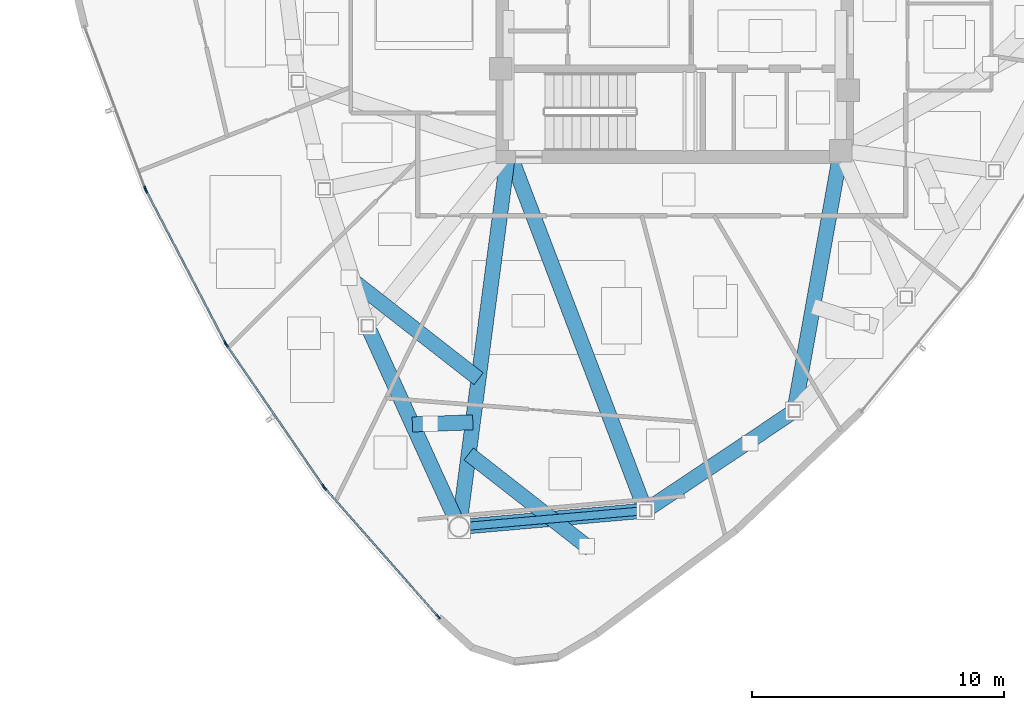
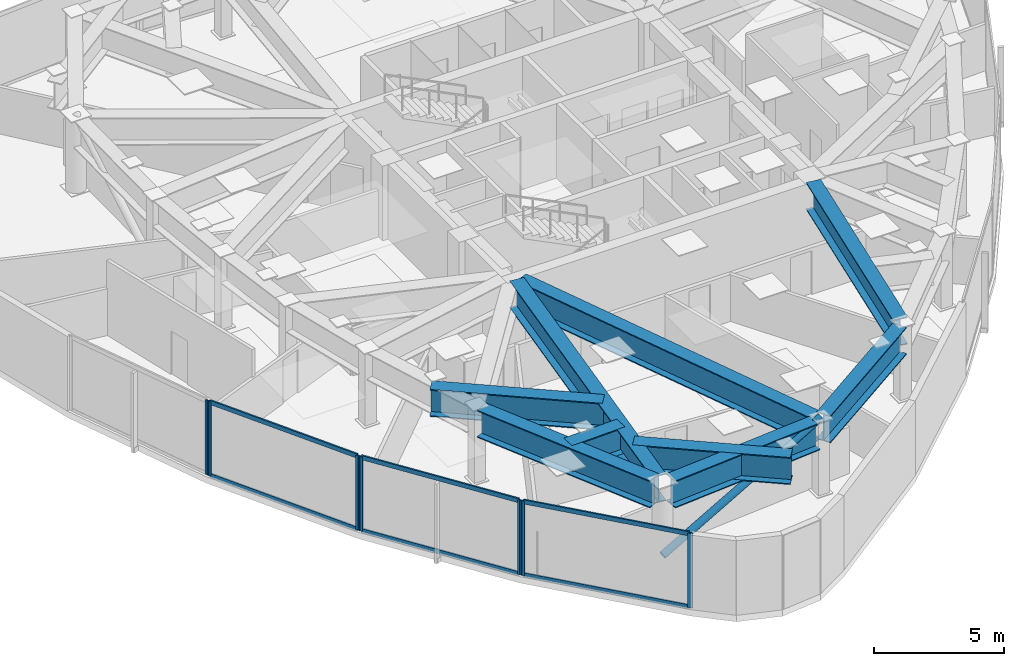
# One storey, part 2 of 13: 14 members, 9 beams, 4 elements without a shape of their own.
"""IFC4 building model written with IfcOpenShell, lengths in metres."""

from ifc_helpers import new_model, si_unit, direction, frame, origin, origin_2d, place, context, subcontext, project, spatial, hollow_rectangle, hollow_circle, i_section, extrude, source, transform, mapped, material, layer, layer_set, material_profile, profile_set, type_object, type_shapes, element, aggregate, save


model = new_model("IFC4")

# Units and contexts
model_context = context("Model", 3, precision=1e-05, world=origin(), true_north=direction((0.0, 1.0)))
body_context = subcontext(model_context, "Body", "Model", "MODEL_VIEW")
ifc_project = project(units=[si_unit("LENGTHUNIT", "METRE"), si_unit("AREAUNIT", "SQUARE_METRE"), si_unit("VOLUMEUNIT", "CUBIC_METRE"), si_unit("PLANEANGLEUNIT", "RADIAN"), si_unit("MASSUNIT", "GRAM", prefix="KILO")], contexts=[model_context])

# Site, building, storey
site_placement = place(None, origin())
site = spatial("IfcSite", under=ifc_project, at=site_placement, CompositionType="ELEMENT")
building_placement = place(site_placement, origin())
building = spatial("IfcBuilding", under=site, at=building_placement, Name="Tavelor Broadcast Tower", CompositionType="ELEMENT")
storey_placement = place(building_placement, frame((0.0, 0.0, 269.550048828125)))
storey = spatial("IfcBuildingStorey", under=building, at=storey_placement, Name="L64", CompositionType="ELEMENT", Elevation=269.550048828125)

# Member
ifc_material_1 = material(Name="Steel S355", Category="steel")
ifc_material_profile_1 = material_profile(ifc_material_1, hollow_circle(Radius=0.161865234375, WallThickness=0.01611328125, at=origin_2d()), Name="CHS 323.9x16")
ifc_profile_set_1 = profile_set([ifc_material_profile_1], Name="Steel S355")
member_type_1 = type_object("IfcMemberType", Name="Perimeter Tube Brace T6 CHS 323.9x16", PredefinedType="BRACE", material=ifc_profile_set_1)
member_1_placement = place(storey_placement, frame((41.440185546875, 23.853759765625, 0.0), z_axis=(0.901227354725, 0.079257843271, 0.426036910814), x_axis=(-0.087606208465, 0.996155184817, 0.0)))
element("IfcMember", 1, at=member_1_placement, inside=storey, type_object=member_type_1, Name="L64 Corner Tube Diagonal Brace 2", PredefinedType="BRACE", context=body_context, shape_type="SweptSolid", body=[
    extrude(hollow_circle(Radius=0.161865234375, WallThickness=0.01611328125, at=origin_2d()), origin(), (0.0, 0.0, 1.0), 8.21533203125),
])

# Beams
ifc_material_2 = material(Name="Steel S460", Category="steel")
ifc_material_profile_2 = material_profile(ifc_material_2, i_section(OverallWidth=0.60009765625, OverallDepth=1.280029296875, WebThickness=0.02587890625, FlangeThickness=0.044921875, at=origin_2d()), Name="PG 1280x600")
ifc_profile_set_2 = profile_set([ifc_material_profile_2], Name="Steel S460")
beam_type = type_object("IfcBeamType", Name="Upper Setback Transfer Girder PG1350", PredefinedType="BEAM", material=ifc_profile_set_2)
beam_1_placement = place(storey_placement, frame((37.896484375, 31.635009765625, 2.85986328125), z_axis=(0.414463300231, -0.910066026595, 0.0), x_axis=(0.910066026595, 0.414463300231, 0.0)))
element("IfcBeam", 2, at=beam_1_placement, inside=storey, type_object=beam_type, Name="L64 Framed-Tube Ring Spandrel 06", PredefinedType="BEAM", context=body_context, shape_type="SweptSolid", body=[
    extrude(i_section(OverallWidth=0.60009765625, OverallDepth=1.280029296875, WebThickness=0.02587890625, FlangeThickness=0.044921875, at=origin_2d()), origin(), (0.0, 0.0, 1.0), 8.16015625),
])
beam_2_placement = place(storey_placement, frame((41.828857421875, 23.887939453125, 2.85986328125), z_axis=(0.996154580768, 0.087613076733, 0.0), x_axis=(-0.087613076733, 0.996154580768, 0.0)))
element("IfcBeam", 3, at=beam_2_placement, inside=storey, type_object=beam_type, Name="L64 Framed-Tube Ring Spandrel 07", PredefinedType="BEAM", context=body_context, shape_type="SweptSolid", body=[
    extrude(i_section(OverallWidth=0.60009765625, OverallDepth=1.280029296875, WebThickness=0.02587890625, FlangeThickness=0.044921875, at=origin_2d()), origin(), (0.0, 0.0, 1.0), 6.802001953125),
])
beam_3_placement = place(storey_placement, frame((49.043212890625, 24.638427734375, 2.85986328125), z_axis=(0.83097843332, 0.556304631795, 0.0), x_axis=(-0.556304631795, 0.83097843332, 0.0)))
element("IfcBeam", 4, at=beam_3_placement, inside=storey, type_object=beam_type, Name="L64 Framed-Tube Ring Spandrel 08", PredefinedType="BEAM", context=body_context, shape_type="SweptSolid", body=[
    extrude(i_section(OverallWidth=0.60009765625, OverallDepth=1.280029296875, WebThickness=0.02587890625, FlangeThickness=0.044921875, at=origin_2d()), origin(), (0.0, 0.0, 1.0), 6.632568359375),
])
beam_4_placement = place(storey_placement, frame((43.34375, 38.37158203125, 2.85986328125), z_axis=(-0.130001183832, -0.991513838634, 0.0), x_axis=(0.991513838634, -0.130001183832, 0.0)))
element("IfcBeam", 5, at=beam_4_placement, inside=storey, type_object=beam_type, Name="L64 Radial Primary Floor Girder 07", PredefinedType="BEAM", context=body_context, shape_type="SweptSolid", body=[
    extrude(i_section(OverallWidth=0.60009765625, OverallDepth=1.280029296875, WebThickness=0.02587890625, FlangeThickness=0.044921875, at=origin_2d()), origin(), (0.0, 0.0, 1.0), 14.251953125),
])
beam_5_placement = place(storey_placement, frame((43.5537109375, 38.396240234375, 2.85986328125), z_axis=(0.355897443136, -0.934525018375, 0.0), x_axis=(0.934525018375, 0.355897443136, 0.0)))
element("IfcBeam", 6, at=beam_5_placement, inside=storey, type_object=beam_type, Name="L64 Radial Primary Floor Girder 08", PredefinedType="BEAM", context=body_context, shape_type="SweptSolid", body=[
    extrude(i_section(OverallWidth=0.60009765625, OverallDepth=1.280029296875, WebThickness=0.02587890625, FlangeThickness=0.044921875, at=origin_2d()), origin(), (0.0, 0.0, 1.0), 14.62451171875),
])
beam_6_placement = place(storey_placement, frame((56.524169921875, 38.374755859375, 2.85986328125), z_axis=(-0.175770007633, -0.984431259366, 0.0), x_axis=(0.984431259366, -0.175770007633, 0.0)))
element("IfcBeam", 7, at=beam_6_placement, inside=storey, type_object=beam_type, Name="L64 Radial Primary Floor Girder 09", PredefinedType="BEAM", context=body_context, shape_type="SweptSolid", body=[
    extrude(i_section(OverallWidth=0.60009765625, OverallDepth=1.280029296875, WebThickness=0.02587890625, FlangeThickness=0.044921875, at=origin_2d()), origin(), (0.0, 0.0, 1.0), 9.829833984375),
])
beam_7_placement = place(storey_placement, frame((42.212158203125, 29.74072265625, 2.85986328125), z_axis=(-0.78802161473, 0.615647573468, 0.0), x_axis=(-0.615647573468, -0.78802161473, 0.0)))
element("IfcBeam", 8, at=beam_7_placement, inside=storey, type_object=beam_type, Name="L64 Cantilever Transfer Girder 05", PredefinedType="BEAM", context=body_context, shape_type="SweptSolid", body=[
    extrude(i_section(OverallWidth=0.60009765625, OverallDepth=1.280029296875, WebThickness=0.02587890625, FlangeThickness=0.044921875, at=origin_2d()), origin(), (0.0, 0.0, 1.0), 6.707763671875),
])
beam_8_placement = place(storey_placement, frame((39.584228515625, 27.9287109375, 2.85986328125), z_axis=(0.999388985289, 0.034952197127, 0.0), x_axis=(-0.034952197127, 0.999388985289, 0.0)))
element("IfcBeam", 9, at=beam_8_placement, inside=storey, type_object=beam_type, Name="L64 Transfer Header Girder 06", PredefinedType="BEAM", context=body_context, shape_type="SweptSolid", body=[
    extrude(i_section(OverallWidth=0.60009765625, OverallDepth=1.280029296875, WebThickness=0.02587890625, FlangeThickness=0.044921875, at=origin_2d()), origin(), (0.0, 0.0, 1.0), 2.40283203125),
])
beam_9_placement = place(storey_placement, frame((41.820556640625, 26.7548828125, 2.85986328125), z_axis=(0.788005073319, -0.615668745693, 0.0), x_axis=(0.615668745693, 0.788005073319, 0.0)))
element("IfcBeam", 10, at=beam_9_placement, inside=storey, type_object=beam_type, Name="L64 Cantilever Transfer Girder 07", PredefinedType="BEAM", context=body_context, shape_type="SweptSolid", body=[
    extrude(i_section(OverallWidth=0.60009765625, OverallDepth=1.280029296875, WebThickness=0.02587890625, FlangeThickness=0.044921875, at=origin_2d()), origin(), (0.0, 0.0, 1.0), 6.136962890625),
])

# Curtain wall, member
ifc_material_3 = material(Name="Architectural Anodized Aluminium", Category="aluminium")
ifc_layer = layer(ifc_material_3, 0.199951171875)
ifc_layer_set = layer_set([ifc_layer], Name="Architectural Anodized Aluminium")
curtain_wall_type = type_object("IfcCurtainWallType", Name="Tower High-Zone Triple-Glazed Curtain Wall CW04", PredefinedType="NOTDEFINED", material=ifc_layer_set)
curtain_wall_1_placement = place(storey_placement, origin())
curtain_wall_1 = element("IfcCurtainWall", 11, at=curtain_wall_1_placement, inside=storey, type_object=curtain_wall_type, Name="L64 Curtain Wall CW04 Run 697", PredefinedType="NOTDEFINED")
ifc_material_profile_3 = material_profile(ifc_material_3, hollow_rectangle(XDim=0.070068359375, YDim=0.199951171875, WallThickness=0.02197265625, at=origin_2d()), Name="RHS 70x200x22")
ifc_profile_set_3 = profile_set([ifc_material_profile_3], Name="Architectural Anodized Aluminium")
member_type_2 = type_object("IfcMemberType", Name="CW04 Extruded Aluminium Mullion 70x200", PredefinedType="MULLION", material=ifc_profile_set_3)
shared_shape_1 = source(origin(), body_context, "Body", "SweptSolid", [
    extrude(hollow_rectangle(XDim=0.070068359375, YDim=0.199951171875, WallThickness=0.02197265625, at=origin_2d()), origin(), (0.0, 0.0, 1.0), 3.5),
])
type_shapes(member_type_2, [shared_shape_1])
member_2_placement = place(storey_placement, frame((28.973388671875, 37.2958984375, 0.0), z_axis=(0.0, 0.0, 1.0), x_axis=(0.936517105103, 0.350621892997, 0.0)))
member_2 = element("IfcMember", 12, at=member_2_placement, type_object=member_type_2, Name="CW04 mullion 2", PredefinedType="MULLION", context=body_context, shape_type="MappedRepresentation", body=[
    mapped(shared_shape_1, transform((0.0, 0.0, 0.0), scale=1.0)),
])
aggregate(curtain_wall_1, [member_2])

# Curtain wall, members
curtain_wall_2_placement = place(storey_placement, origin())
curtain_wall_2 = element("IfcCurtainWall", 13, at=curtain_wall_2_placement, inside=storey, type_object=curtain_wall_type, Name="L64 Curtain Wall CW04 Run 698", PredefinedType="NOTDEFINED")
member_3_placement = place(storey_placement, frame((29.01416015625, 37.20458984375, 0.0), z_axis=(0.0, 0.0, 1.0), x_axis=(0.887215370974, 0.461355487133, 0.0)))
member_3 = element("IfcMember", 14, at=member_3_placement, type_object=member_type_2, Name="CW04 mullion 1", PredefinedType="MULLION", context=body_context, shape_type="MappedRepresentation", body=[
    mapped(shared_shape_1, transform((0.0, 0.0, 0.0), scale=1.0)),
])
member_4_placement = place(storey_placement, frame((32.150634765625, 31.1728515625, 0.0), z_axis=(0.0, 0.0, 1.0), x_axis=(0.887215370974, 0.461355487133, 0.0)))
member_4 = element("IfcMember", 15, at=member_4_placement, type_object=member_type_2, Name="CW04 mullion 2", PredefinedType="MULLION", context=body_context, shape_type="MappedRepresentation", body=[
    mapped(shared_shape_1, transform((0.0, 0.0, 0.0), scale=1.0)),
])

curtain_wall_3_placement = place(storey_placement, origin())
curtain_wall_3 = element("IfcCurtainWall", 16, at=curtain_wall_3_placement, inside=storey, type_object=curtain_wall_type, Name="L64 Curtain Wall CW04 Run 699", PredefinedType="NOTDEFINED")
member_5_placement = place(storey_placement, frame((32.201904296875, 31.08740234375, 0.0), z_axis=(0.0, 0.0, 1.0), x_axis=(0.824856685122, 0.565341886834, 0.0)))
member_5 = element("IfcMember", 17, at=member_5_placement, type_object=member_type_2, Name="CW04 mullion 1", PredefinedType="MULLION", context=body_context, shape_type="MappedRepresentation", body=[
    mapped(shared_shape_1, transform((0.0, 0.0, 0.0), scale=1.0)),
])
member_6_placement = place(storey_placement, frame((36.04541015625, 25.4794921875, 0.0), z_axis=(0.0, 0.0, 1.0), x_axis=(0.824856685122, 0.565341886834, 0.0)))
member_6 = element("IfcMember", 18, at=member_6_placement, type_object=member_type_2, Name="CW04 mullion 2", PredefinedType="MULLION", context=body_context, shape_type="MappedRepresentation", body=[
    mapped(shared_shape_1, transform((0.0, 0.0, 0.0), scale=1.0)),
])

curtain_wall_4_placement = place(storey_placement, origin())
curtain_wall_4 = element("IfcCurtainWall", 19, at=curtain_wall_4_placement, inside=storey, type_object=curtain_wall_type, Name="L64 Curtain Wall CW04 Run 700", PredefinedType="NOTDEFINED")
member_7_placement = place(storey_placement, frame((36.106689453125, 25.400634765625, 0.0), z_axis=(0.0, 0.0, 1.0), x_axis=(0.750387813322, 0.660997828754, 0.0)))
member_7 = element("IfcMember", 20, at=member_7_placement, type_object=member_type_2, Name="CW04 mullion 1", PredefinedType="MULLION", context=body_context, shape_type="MappedRepresentation", body=[
    mapped(shared_shape_1, transform((0.0, 0.0, 0.0), scale=1.0)),
])
member_8_placement = place(storey_placement, frame((40.611083984375, 20.287353515625, 0.0), z_axis=(0.0, 0.0, 1.0), x_axis=(0.750387813322, 0.660997828754, 0.0)))
member_8 = element("IfcMember", 21, at=member_8_placement, type_object=member_type_2, Name="CW04 mullion 2", PredefinedType="MULLION", context=body_context, shape_type="MappedRepresentation", body=[
    mapped(shared_shape_1, transform((0.0, 0.0, 0.0), scale=1.0)),
])

# Member
ifc_material_profile_4 = material_profile(ifc_material_3, hollow_rectangle(XDim=0.070068359375, YDim=0.199951171875, WallThickness=0.02197265625, at=origin_2d()), Name="RHS 70x200x22")
ifc_profile_set_4 = profile_set([ifc_material_profile_4], Name="Architectural Anodized Aluminium")
member_type_3 = type_object("IfcMemberType", Name="CW04 Extruded Aluminium Transom 70x200", PredefinedType="USERDEFINED", material=ifc_profile_set_4)
shared_shape_2 = source(origin(), body_context, "Body", "SweptSolid", [
    extrude(hollow_rectangle(XDim=0.070068359375, YDim=0.199951171875, WallThickness=0.02197265625, at=origin_2d()), origin(), (0.0, 0.0, 1.0), 6.728515625),
])
member_9_placement = place(storey_placement, frame((29.0302734375, 37.173583984375, 0.034912109375), z_axis=(0.461351594197, -0.887217395305, 0.0), x_axis=(0.887217395305, 0.461351594197, 0.0)))
member_9 = element("IfcMember", 22, at=member_9_placement, type_object=member_type_3, Name="CW04 transom 1.1", ObjectType="TRANSOM", PredefinedType="USERDEFINED", context=body_context, shape_type="MappedRepresentation", body=[
    mapped(shared_shape_2, transform((0.0, 0.0, 0.0), scale=1.0)),
])

member_10_placement = place(storey_placement, frame((29.0302734375, 37.173583984375, 3.46484375), z_axis=(0.461351594197, -0.887217395305, 0.0), x_axis=(0.887217395305, 0.461351594197, 0.0)))
member_10 = element("IfcMember", 23, at=member_10_placement, type_object=member_type_3, Name="CW04 transom 1.2", ObjectType="TRANSOM", PredefinedType="USERDEFINED", context=body_context, shape_type="MappedRepresentation", body=[
    mapped(shared_shape_2, transform((0.0, 0.0, 0.0), scale=1.0)),
])

aggregate(curtain_wall_2, [member_3, member_4, member_9, member_10])

member_11_placement = place(storey_placement, frame((32.2216796875, 31.058349609375, 0.034912109375), z_axis=(0.565347121404, -0.824853097418, 0.0), x_axis=(0.824853097418, 0.565347121404, 0.0)))
member_11 = element("IfcMember", 24, at=member_11_placement, type_object=member_type_3, Name="CW04 transom 1.1", ObjectType="TRANSOM", PredefinedType="USERDEFINED", context=body_context, shape_type="MappedRepresentation", body=[
    mapped(shared_shape_2, transform((0.0, 0.0, 0.0), scale=1.0)),
])

member_12_placement = place(storey_placement, frame((32.2216796875, 31.058349609375, 3.46484375), z_axis=(0.565347121404, -0.824853097418, 0.0), x_axis=(0.824853097418, 0.565347121404, 0.0)))
member_12 = element("IfcMember", 25, at=member_12_placement, type_object=member_type_3, Name="CW04 transom 1.2", ObjectType="TRANSOM", PredefinedType="USERDEFINED", context=body_context, shape_type="MappedRepresentation", body=[
    mapped(shared_shape_2, transform((0.0, 0.0, 0.0), scale=1.0)),
])

aggregate(curtain_wall_3, [member_5, member_6, member_11, member_12])

shared_shape_3 = source(origin(), body_context, "Body", "SweptSolid", [
    extrude(hollow_rectangle(XDim=0.070068359375, YDim=0.199951171875, WallThickness=0.02197265625, at=origin_2d()), origin(), (0.0, 0.0, 1.0), 6.744384765625),
])
type_shapes(member_type_3, [shared_shape_2, shared_shape_3])
member_13_placement = place(storey_placement, frame((36.1298828125, 25.37451171875, 0.034912109375), z_axis=(0.6609868679, -0.750397468322, 0.0), x_axis=(0.750397468322, 0.6609868679, 0.0)))
member_13 = element("IfcMember", 26, at=member_13_placement, type_object=member_type_3, Name="CW04 transom 1.1", ObjectType="TRANSOM", PredefinedType="USERDEFINED", context=body_context, shape_type="MappedRepresentation", body=[
    mapped(shared_shape_3, transform((0.0, 0.0, 0.0), scale=1.0)),
])

member_14_placement = place(storey_placement, frame((36.1298828125, 25.37451171875, 3.46484375), z_axis=(0.6609868679, -0.750397468322, 0.0), x_axis=(0.750397468322, 0.6609868679, 0.0)))
member_14 = element("IfcMember", 27, at=member_14_placement, type_object=member_type_3, Name="CW04 transom 1.2", ObjectType="TRANSOM", PredefinedType="USERDEFINED", context=body_context, shape_type="MappedRepresentation", body=[
    mapped(shared_shape_3, transform((0.0, 0.0, 0.0), scale=1.0)),
])

aggregate(curtain_wall_4, [member_7, member_8, member_13, member_14])

save(model, "model.ifc")
